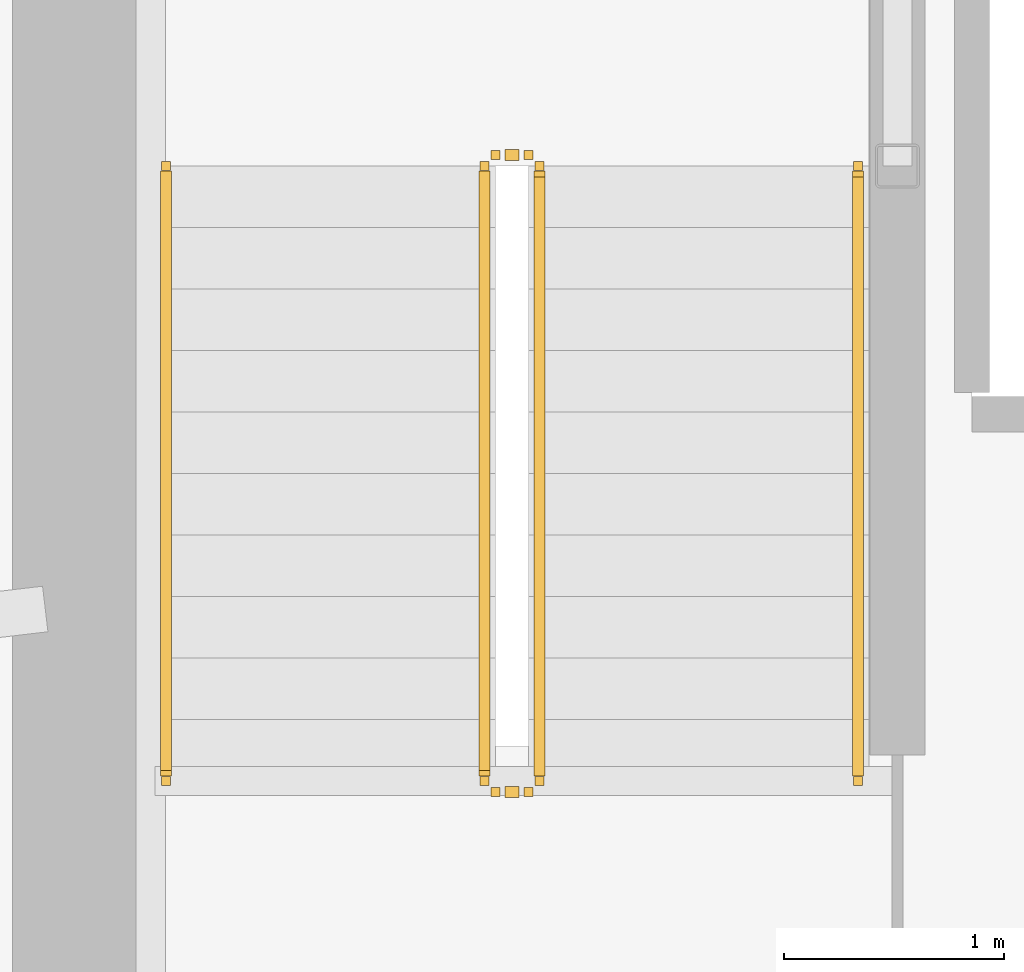
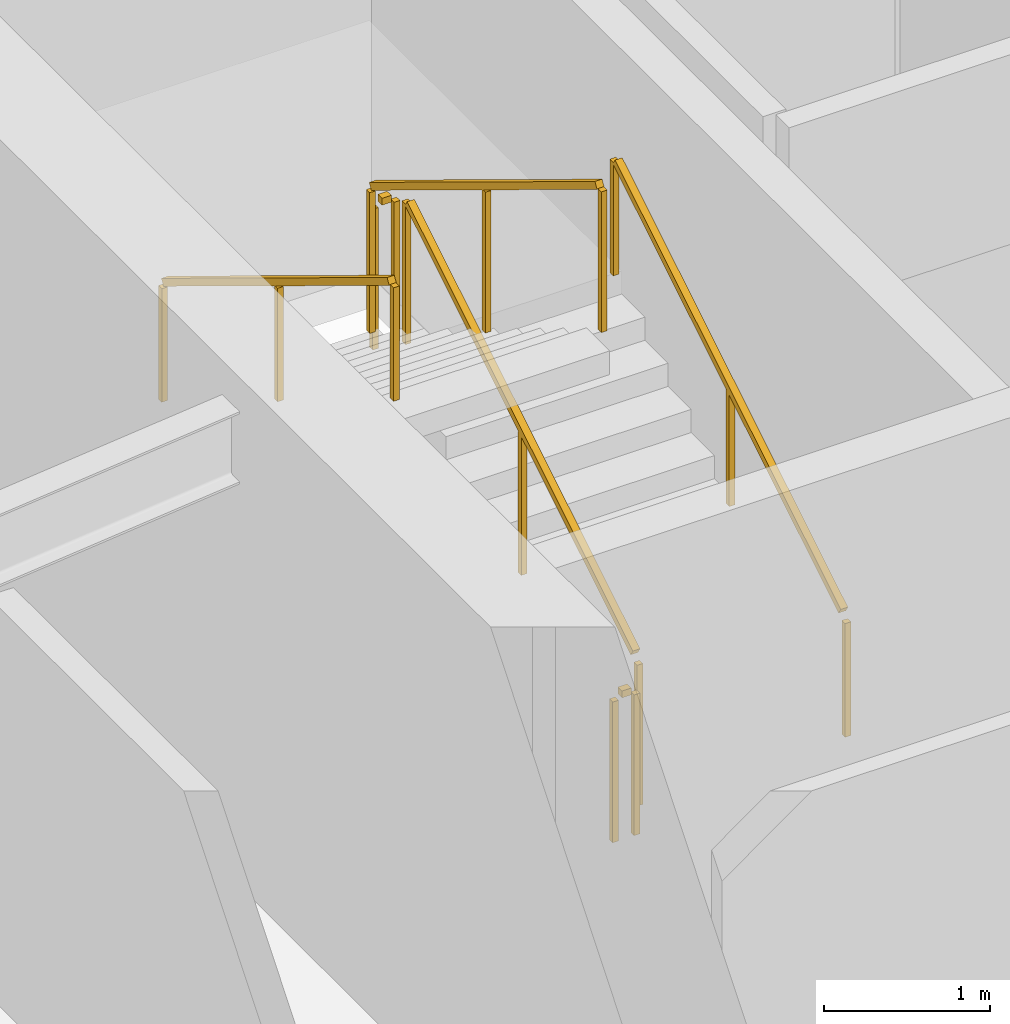
# One storey, part 18 of 21: 6 railings.
"""IFC4 building model written with IfcOpenShell, lengths in metres."""

from ifc_helpers import new_model, si_unit, direction, frame, origin, origin_2d, place, context, subcontext, project, spatial, rectangle, extrude, material, type_object, element, save


model = new_model("IFC4")

# Units and contexts
model_context = context("Model", 3, precision=1e-05, world=origin(), true_north=direction((0.0, 1.0)))
body_context = subcontext(model_context, "Body", "Model", "MODEL_VIEW")
ifc_project = project(units=[si_unit("LENGTHUNIT", "METRE"), si_unit("AREAUNIT", "SQUARE_METRE"), si_unit("VOLUMEUNIT", "CUBIC_METRE"), si_unit("PLANEANGLEUNIT", "RADIAN"), si_unit("MASSUNIT", "GRAM", prefix="KILO")], contexts=[model_context])

# Site, building, storey
site_placement = place(None, origin())
site = spatial("IfcSite", under=ifc_project, at=site_placement, CompositionType="ELEMENT")
building_placement = place(site_placement, origin())
building = spatial("IfcBuilding", under=site, at=building_placement, Name="Kazma Halo Residences", CompositionType="ELEMENT")
storey_placement = place(building_placement, frame((0.0, 0.0, 191.550048828125)))
storey = spatial("IfcBuildingStorey", under=building, at=storey_placement, Name="L48", CompositionType="ELEMENT", Elevation=191.550048828125)

# Railings
ifc_material_1 = material(Name="Painted Steel S355", Category="steel")
railing_type_1 = type_object("IfcRailingType", Name="RLG-STAIR-GRD-1100", PredefinedType="GUARDRAIL", material=ifc_material_1)
railing_1_placement = place(storey_placement, frame((39.550048828125, 39.949951171875, 0.17041015625)))
element("IfcRailing", 1, at=railing_1_placement, inside=storey, type_object=railing_type_1, Name="L48 ST-01 stair guard 1", PredefinedType="GUARDRAIL", context=body_context, shape_type="SweptSolid", body=[
    extrude(rectangle(XDim=0.050048828125, YDim=0.050048828125, at=origin_2d()), frame((0.0, 0.036376953125, 1.09716796875), z_axis=(0.0, 0.854169791009, 0.51999420009), x_axis=(-1.0, 0.0, 0.0)), (0.0, 0.0, 1.0), 3.193115234375),
    extrude(rectangle(XDim=0.0400390625, YDim=0.0400390625, at=origin_2d()), origin(), (0.0, 0.0, 1.0), 1.0380859375),
    extrude(rectangle(XDim=0.0400390625, YDim=0.0400390625, at=origin_2d()), frame((0.0, 1.39990234375, 0.852294921875)), (0.0, 0.0, 1.0), 1.0380859375),
    extrude(rectangle(XDim=0.0400390625, YDim=0.0400390625, at=origin_2d()), frame((0.0, 2.800048828125, 1.70458984375)), (0.0, 0.0, 1.0), 1.0380859375),
])
railing_2_placement = place(storey_placement, frame((39.5, 42.800048828125, 1.875)))
element("IfcRailing", 2, at=railing_2_placement, inside=storey, type_object=railing_type_1, Name="L48 ST-01 stair guard 2", PredefinedType="GUARDRAIL", context=body_context, shape_type="SweptSolid", body=[
    extrude(rectangle(XDim=0.050048828125, YDim=0.050048828125, at=origin_2d()), frame((-0.04248046875, 0.0, 1.0751953125), z_axis=(-1.0, 0.0, 0.0), x_axis=(0.0, -1.0, 0.0)), (0.0, 0.0, 1.0), 0.06494140625),
    extrude(rectangle(XDim=0.0400390625, YDim=0.0400390625, at=origin_2d()), origin(), (0.0, 0.0, 1.0), 1.0380859375),
    extrude(rectangle(XDim=0.0400390625, YDim=0.0400390625, at=origin_2d()), frame((-0.14990234375, 0.0, 0.0)), (0.0, 0.0, 1.0), 1.0380859375),
])
railing_3_placement = place(storey_placement, frame((39.300048828125, 42.75, 2.04541015625)))
element("IfcRailing", 3, at=railing_3_placement, inside=storey, type_object=railing_type_1, Name="L48 ST-01 stair guard 3", PredefinedType="GUARDRAIL", context=body_context, shape_type="SweptSolid", body=[
    extrude(rectangle(XDim=0.050048828125, YDim=0.050048828125, at=origin_2d()), frame((0.0, -0.036376953125, 1.09716796875), z_axis=(0.0, -0.854169791009, 0.51999420009), x_axis=(1.0, 0.0, 0.0)), (0.0, 0.0, 1.0), 3.193115234375),
    extrude(rectangle(XDim=0.0400390625, YDim=0.0400390625, at=origin_2d()), origin(), (0.0, 0.0, 1.0), 1.0380859375),
    extrude(rectangle(XDim=0.0400390625, YDim=0.0400390625, at=origin_2d()), frame((0.0, -1.39990234375, 0.852294921875)), (0.0, 0.0, 1.0), 1.0380859375),
    extrude(rectangle(XDim=0.0400390625, YDim=0.0400390625, at=origin_2d()), frame((0.0, -2.800048828125, 1.70458984375)), (0.0, 0.0, 1.0), 1.0380859375),
])
railing_4_placement = place(storey_placement, frame((39.5, 39.89990234375, 0.0)))
element("IfcRailing", 4, at=railing_4_placement, inside=storey, type_object=railing_type_1, Name="L48 ST-01 stair guard 4", PredefinedType="GUARDRAIL", context=body_context, shape_type="SweptSolid", body=[
    extrude(rectangle(XDim=0.050048828125, YDim=0.050048828125, at=origin_2d()), frame((-0.04248046875, 0.0, 1.0751953125), z_axis=(-1.0, 0.0, 0.0), x_axis=(0.0, -1.0, 0.0)), (0.0, 0.0, 1.0), 0.06494140625),
    extrude(rectangle(XDim=0.0400390625, YDim=0.0400390625, at=origin_2d()), origin(), (0.0, 0.0, 1.0), 1.0380859375),
    extrude(rectangle(XDim=0.0400390625, YDim=0.0400390625, at=origin_2d()), frame((-0.14990234375, 0.0, 0.0)), (0.0, 0.0, 1.0), 1.0380859375),
])
ifc_material_2 = material(Name="Brushed Stainless Steel", Category="steel")
railing_type_2 = type_object("IfcRailingType", Name="RLG-STAIR-HND-900", PredefinedType="HANDRAIL", material=ifc_material_2)
railing_5_placement = place(storey_placement, frame((41.0, 39.949951171875, 0.17041015625)))
element("IfcRailing", 5, at=railing_5_placement, inside=storey, type_object=railing_type_2, Name="L48 ST-01 stair handrail 1", PredefinedType="HANDRAIL", context=body_context, shape_type="SweptSolid", body=[
    extrude(rectangle(XDim=0.050048828125, YDim=0.050048828125, at=origin_2d()), frame((0.0, 0.036376953125, 0.89697265625), z_axis=(0.0, 0.854169791009, 0.51999420009), x_axis=(-1.0, 0.0, 0.0)), (0.0, 0.0, 1.0), 3.193115234375),
    extrude(rectangle(XDim=0.0400390625, YDim=0.0400390625, at=origin_2d()), origin(), (0.0, 0.0, 1.0), 0.837890625),
    extrude(rectangle(XDim=0.0400390625, YDim=0.0400390625, at=origin_2d()), frame((0.0, 1.39990234375, 0.852294921875)), (0.0, 0.0, 1.0), 0.837890625),
    extrude(rectangle(XDim=0.0400390625, YDim=0.0400390625, at=origin_2d()), frame((0.0, 2.800048828125, 1.70458984375)), (0.0, 0.0, 1.0), 0.837890625),
])
railing_6_placement = place(storey_placement, frame((37.85009765625, 42.75, 2.04541015625)))
element("IfcRailing", 6, at=railing_6_placement, inside=storey, type_object=railing_type_2, Name="L48 ST-01 stair handrail 2", PredefinedType="HANDRAIL", context=body_context, shape_type="SweptSolid", body=[
    extrude(rectangle(XDim=0.050048828125, YDim=0.050048828125, at=origin_2d()), frame((0.0, -0.036376953125, 0.89697265625), z_axis=(0.0, -0.854169791009, 0.51999420009), x_axis=(1.0, 0.0, 0.0)), (0.0, 0.0, 1.0), 3.193115234375),
    extrude(rectangle(XDim=0.0400390625, YDim=0.0400390625, at=origin_2d()), origin(), (0.0, 0.0, 1.0), 0.837890625),
    extrude(rectangle(XDim=0.0400390625, YDim=0.0400390625, at=origin_2d()), frame((0.0, -1.39990234375, 0.852294921875)), (0.0, 0.0, 1.0), 0.837890625),
    extrude(rectangle(XDim=0.0400390625, YDim=0.0400390625, at=origin_2d()), frame((0.0, -2.800048828125, 1.70458984375)), (0.0, 0.0, 1.0), 0.837890625),
])

save(model, "model.ifc")
